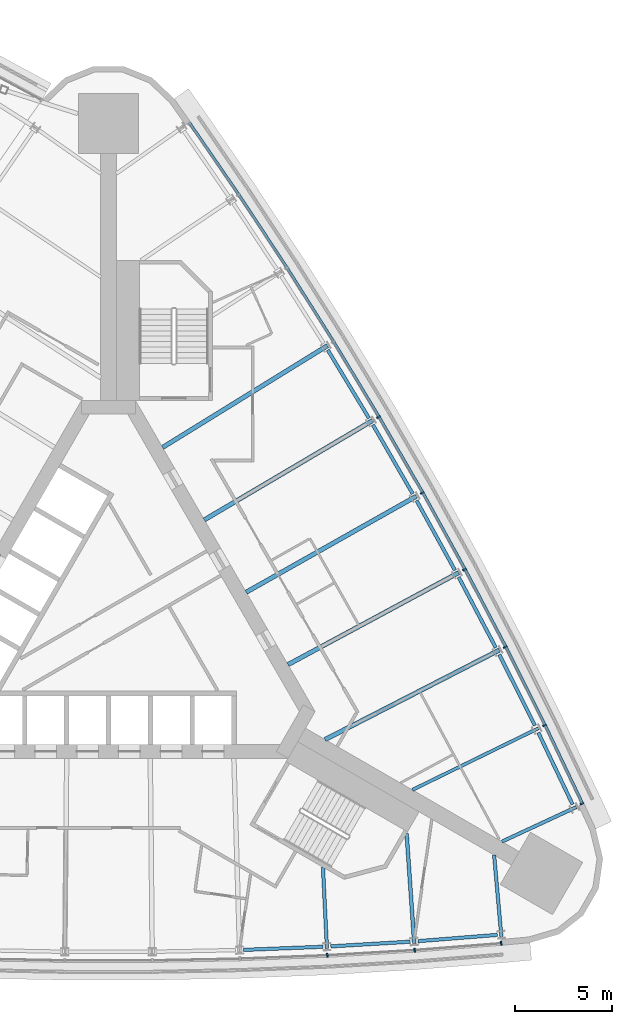
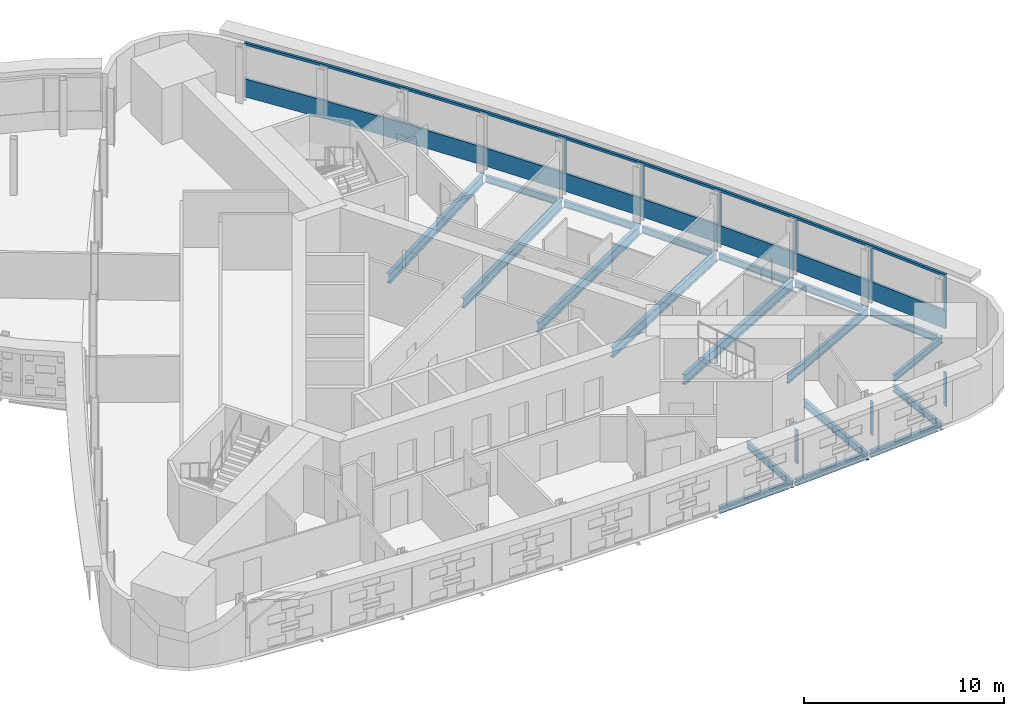
# One storey, part 7 of 17: 19 beams, 11 members, 2 elements without a shape of their own.
"""IFC4 building model written with IfcOpenShell, lengths in metres."""

from ifc_helpers import new_model, si_unit, direction, frame, origin, origin_2d, place, context, subcontext, project, spatial, polyline, rectangle, i_section, outline, extrude, material, material_profile, profile_set, type_object, element, aggregate, save


model = new_model("IFC4")

# Units and contexts
model_context = context("Model", 3, precision=1e-05, world=origin(), true_north=direction((0.0, 1.0)))
body_context = subcontext(model_context, "Body", "Model", "MODEL_VIEW")
ifc_project = project(units=[si_unit("LENGTHUNIT", "METRE"), si_unit("AREAUNIT", "SQUARE_METRE"), si_unit("VOLUMEUNIT", "CUBIC_METRE"), si_unit("PLANEANGLEUNIT", "RADIAN"), si_unit("MASSUNIT", "GRAM", prefix="KILO")], contexts=[model_context])

# Site, building, storey
site_placement = place(None, origin())
site = spatial("IfcSite", under=ifc_project, at=site_placement, CompositionType="ELEMENT")
building_placement = place(site_placement, origin())
building = spatial("IfcBuilding", under=site, at=building_placement, Name="Noor Cloister Tower", CompositionType="ELEMENT")
storey_placement = place(building_placement, frame((0.0, 0.0, 95.10009765625)))
storey = spatial("IfcBuildingStorey", under=building, at=storey_placement, Name="L24", CompositionType="ELEMENT", Elevation=95.10009765625)

# Curtain wall, member
ifc_material_1 = material(Name="Aluminium 6063-T6 anodised", Category="aluminium")
curtain_wall_type = type_object("IfcCurtainWallType", Name="Ribbon curtain wall, lower tower CW1", PredefinedType="NOTDEFINED", material=ifc_material_1)
curtain_wall_1_placement = place(storey_placement, origin())
curtain_wall_1 = element("IfcCurtainWall", 1, at=curtain_wall_1_placement, inside=storey, type_object=curtain_wall_type, Name="CW1 L24 NE run 4", PredefinedType="NOTDEFINED")
ifc_material_2 = material(Name="Aluminium 6063-T6 anodised", Category="aluminium")
member_type_1 = type_object("IfcMemberType", Name="Head transom CW1 150", PredefinedType="USERDEFINED", material=ifc_material_2)
member_1_placement = place(storey_placement, frame((0.0, 0.0, 3.14990234375)))
member_1 = element("IfcMember", 2, at=member_1_placement, type_object=member_type_1, Name="CW1 head transom", ObjectType="TRANSOM", PredefinedType="USERDEFINED", context=body_context, shape_type="SweptSolid", body=[
    extrude(outline(polyline([(24.42822265625, -9.24853515625), (22.49169921875, -5.1865234375), (20.475830078125, -1.16357421875), (18.380859375, 2.819091796875), (16.2080078125, 6.759765625), (13.9580078125, 10.65673828125), (11.6318359375, 14.5087890625), (9.230224609375, 18.314208984375), (6.754150390625, 22.07177734375), (4.204833984375, 25.77978515625), (4.08935546875, 25.700439453125), (6.63818359375, 21.993408203125), (9.112548828125, 18.23828125), (11.5126953125, 14.435302734375), (13.83740234375, 10.58544921875), (16.086181640625, 6.69091796875), (18.257568359375, 2.752685546875), (20.35107421875, -1.2275390625), (22.365966796875, -5.248046875), (24.302001953125, -9.30859375), (24.42822265625, -9.24853515625)])), origin(), (0.0, 0.0, 1.0), 0.14990234375),
])

# Curtain wall, members
curtain_wall_2_placement = place(storey_placement, origin())
curtain_wall_2 = element("IfcCurtainWall", 3, at=curtain_wall_2_placement, inside=storey, type_object=curtain_wall_type, Name="CW1 L24 S run 3", PredefinedType="NOTDEFINED")
ifc_material_3 = material(Name="Aluminium 6063-T6 anodised", Category="aluminium")
ifc_material_profile_1 = material_profile(ifc_material_3, rectangle(XDim=0.199951171875, YDim=0.080078125, at=origin_2d()), Name="200 x 80 mullion")
ifc_profile_set_1 = profile_set([ifc_material_profile_1], Name="Aluminium 6063-T6 anodised")
member_type_2 = type_object("IfcMemberType", Name="Mullion CW1 80 x 200", PredefinedType="MULLION", material=ifc_profile_set_1)
member_2_placement = place(storey_placement, frame((11.240478515625, -17.05078125, 1.099853515625), z_axis=(0.0, 0.0, 1.0), x_axis=(-0.049188322705, 0.998789521826, 0.0)))
member_2 = element("IfcMember", 4, at=member_2_placement, type_object=member_type_2, Name="CW1 mullion 8", PredefinedType="MULLION", context=body_context, shape_type="SweptSolid", body=[
    extrude(rectangle(XDim=0.199951171875, YDim=0.080078125, at=origin_2d()), origin(), (0.0, 0.0, 1.0), 2.050048828125),
])
member_3_placement = place(storey_placement, frame((15.730712890625, -16.785400390625, 1.099853515625), z_axis=(0.0, 0.0, 1.0), x_axis=(-0.068836981101, 0.997627921639, 0.0)))
member_3 = element("IfcMember", 5, at=member_3_placement, type_object=member_type_2, Name="CW1 mullion 9", PredefinedType="MULLION", context=body_context, shape_type="SweptSolid", body=[
    extrude(rectangle(XDim=0.199951171875, YDim=0.080078125, at=origin_2d()), origin(), (0.0, 0.0, 1.0), 2.050048828125),
])
member_4_placement = place(storey_placement, frame((20.17578125, -16.434814453125, 1.099853515625), z_axis=(0.0, 0.0, 1.0), x_axis=(-0.078651776212, 0.996902150714, 0.0)))
member_4 = element("IfcMember", 6, at=member_4_placement, type_object=member_type_2, Name="CW1 mullion 10", PredefinedType="MULLION", context=body_context, shape_type="SweptSolid", body=[
    extrude(rectangle(XDim=0.199951171875, YDim=0.080078125, at=origin_2d()), origin(), (0.0, 0.0, 1.0), 2.050048828125),
])
aggregate(curtain_wall_2, [member_2, member_3, member_4])

# Member
member_5_placement = place(storey_placement, frame((24.32080078125, -9.25537109375, 1.099853515625), z_axis=(0.0, 0.0, 1.0), x_axis=(-0.902668475712, -0.430336639105, 0.0)))
member_5 = element("IfcMember", 7, at=member_5_placement, type_object=member_type_2, Name="CW1 mullion 1", PredefinedType="MULLION", context=body_context, shape_type="SweptSolid", body=[
    extrude(rectangle(XDim=0.199951171875, YDim=0.080078125, at=origin_2d()), origin(), (0.0, 0.0, 1.0), 2.050048828125),
])

member_6_placement = place(storey_placement, frame((22.40185546875, -5.23046875, 1.099853515625), z_axis=(0.0, 0.0, 1.0), x_axis=(-0.898389614214, -0.439199386466, 0.0)))
member_6 = element("IfcMember", 8, at=member_6_placement, type_object=member_type_2, Name="CW1 mullion 2", PredefinedType="MULLION", context=body_context, shape_type="SweptSolid", body=[
    extrude(rectangle(XDim=0.199951171875, YDim=0.080078125, at=origin_2d()), origin(), (0.0, 0.0, 1.0), 2.050048828125),
])

member_7_placement = place(storey_placement, frame((20.38671875, -1.209228515625, 1.099853515625), z_axis=(0.0, 0.0, 1.0), x_axis=(-0.889571260287, -0.456796423881, 0.0)))
member_7 = element("IfcMember", 9, at=member_7_placement, type_object=member_type_2, Name="CW1 mullion 3", PredefinedType="MULLION", context=body_context, shape_type="SweptSolid", body=[
    extrude(rectangle(XDim=0.199951171875, YDim=0.080078125, at=origin_2d()), origin(), (0.0, 0.0, 1.0), 2.050048828125),
])

member_8_placement = place(storey_placement, frame((18.292724609375, 2.771728515625, 1.099853515625), z_axis=(0.0, 0.0, 1.0), x_axis=(-0.880408277748, -0.474216474275, 0.0)))
member_8 = element("IfcMember", 10, at=member_8_placement, type_object=member_type_2, Name="CW1 mullion 4", PredefinedType="MULLION", context=body_context, shape_type="SweptSolid", body=[
    extrude(rectangle(XDim=0.199951171875, YDim=0.080078125, at=origin_2d()), origin(), (0.0, 0.0, 1.0), 2.050048828125),
])

member_9_placement = place(storey_placement, frame((16.120849609375, 6.71044921875, 1.099853515625), z_axis=(0.0, 0.0, 1.0), x_axis=(-0.87090420026, -0.491452819678, 0.0)))
member_9 = element("IfcMember", 11, at=member_9_placement, type_object=member_type_2, Name="CW1 mullion 5", PredefinedType="MULLION", context=body_context, shape_type="SweptSolid", body=[
    extrude(rectangle(XDim=0.199951171875, YDim=0.080078125, at=origin_2d()), origin(), (0.0, 0.0, 1.0), 2.050048828125),
])

member_10_placement = place(storey_placement, frame((13.8720703125, 10.60595703125, 1.099853515625), z_axis=(0.0, 0.0, 1.0), x_axis=(-0.861062726733, -0.508498751848, 0.0)))
member_10 = element("IfcMember", 12, at=member_10_placement, type_object=member_type_2, Name="CW1 mullion 6", PredefinedType="MULLION", context=body_context, shape_type="SweptSolid", body=[
    extrude(rectangle(XDim=0.199951171875, YDim=0.080078125, at=origin_2d()), origin(), (0.0, 0.0, 1.0), 2.050048828125),
])

# Beams
ifc_material_4 = material(Name="Steel ASTM A992 Gr 50", Category="steel")
ifc_material_profile_2 = material_profile(ifc_material_4, i_section(OverallWidth=0.177978515625, OverallDepth=0.406005859375, WebThickness=0.0078125, FlangeThickness=0.0126953125, FilletRadius=0.01025390625, at=origin_2d()), Name="W410x60")
ifc_profile_set_2 = profile_set([ifc_material_profile_2], Name="Steel ASTM A992 Gr 50")
beam_type_1 = type_object("IfcBeamType", Name="Radial beam W410x60", PredefinedType="BEAM", material=ifc_profile_set_2)
beam_1_placement = place(storey_placement, frame((11.223388671875, -16.701904296875, -0.403076171875), z_axis=(-0.049178201451, 0.998790020225, 0.0), x_axis=(-0.998790020225, -0.049178201451, 0.0)))
element("IfcBeam", 13, at=beam_1_placement, inside=storey, type_object=beam_type_1, Name="Radial beam S 08 L24", PredefinedType="BEAM", context=body_context, shape_type="SweptSolid", body=[
    extrude(i_section(OverallWidth=0.177978515625, OverallDepth=0.406005859375, WebThickness=0.0078125, FlangeThickness=0.0126953125, FilletRadius=0.01025390625, at=origin_2d()), origin(), (0.0, 0.0, 1.0), 4.18505859375),
])
beam_2_placement = place(storey_placement, frame((20.183837890625, -16.08349609375, -0.403076171875), z_axis=(-0.088480829531, 0.99607787989, 0.0), x_axis=(-0.99607787989, -0.088480829531, 0.0)))
element("IfcBeam", 14, at=beam_2_placement, inside=storey, type_object=beam_type_1, Name="Radial beam S 10 L24", PredefinedType="BEAM", context=body_context, shape_type="SweptSolid", body=[
    extrude(i_section(OverallWidth=0.177978515625, OverallDepth=0.406005859375, WebThickness=0.0078125, FlangeThickness=0.0126953125, FilletRadius=0.01025390625, at=origin_2d()), origin(), (0.0, 0.0, 1.0), 4.199462890625),
])
beam_3_placement = place(storey_placement, frame((24.0205078125, -9.43798828125, -0.403076171875), z_axis=(-0.906851874526, -0.421449495989, 0.0), x_axis=(0.421449495989, -0.906851874526, 0.0)))
element("IfcBeam", 15, at=beam_3_placement, inside=storey, type_object=beam_type_1, Name="Radial beam NE 01 L24", PredefinedType="BEAM", context=body_context, shape_type="SweptSolid", body=[
    extrude(i_section(OverallWidth=0.177978515625, OverallDepth=0.406005859375, WebThickness=0.0078125, FlangeThickness=0.0126953125, FilletRadius=0.01025390625, at=origin_2d()), origin(), (0.0, 0.0, 1.0), 4.19921875),
])
ifc_material_5 = material(Name="Steel ASTM A992 Gr 50", Category="steel")
ifc_material_profile_3 = material_profile(ifc_material_5, i_section(OverallWidth=0.19091796875, OverallDepth=0.45703125, WebThickness=0.009033203125, FlangeThickness=0.014404296875, FilletRadius=0.01025390625, at=origin_2d()), Name="W460x74")
ifc_profile_set_3 = profile_set([ifc_material_profile_3], Name="Steel ASTM A992 Gr 50")
beam_type_2 = type_object("IfcBeamType", Name="Radial beam W460x74", PredefinedType="BEAM", material=ifc_profile_set_3)
beam_4_placement = place(storey_placement, frame((15.70654296875, -16.436767578125, -0.4287109375), z_axis=(-0.068806527571, 0.997630022485, 0.0), x_axis=(-0.997630022485, -0.068806527571, 0.0)))
element("IfcBeam", 16, at=beam_4_placement, inside=storey, type_object=beam_type_2, Name="Radial beam S 09 L24", PredefinedType="BEAM", context=body_context, shape_type="SweptSolid", body=[
    extrude(i_section(OverallWidth=0.19091796875, OverallDepth=0.45703125, WebThickness=0.009033203125, FlangeThickness=0.014404296875, FilletRadius=0.01025390625, at=origin_2d()), origin(), (0.0, 0.0, 1.0), 5.66650390625),
])
ifc_material_6 = material(Name="Steel ASTM A992 Gr 50", Category="steel")
ifc_material_profile_4 = material_profile(ifc_material_6, i_section(OverallWidth=0.166015625, OverallDepth=0.528076171875, WebThickness=0.009765625, FlangeThickness=0.013671875, FilletRadius=0.0126953125, at=origin_2d()), Name="W530x74")
ifc_profile_set_4 = profile_set([ifc_material_profile_4], Name="Steel ASTM A992 Gr 50")
beam_type_3 = type_object("IfcBeamType", Name="Radial beam W530x74", PredefinedType="BEAM", material=ifc_profile_set_4)
beam_5_placement = place(storey_placement, frame((22.087890625, -5.384033203125, -0.464111328125), z_axis=(-0.898387033035, -0.439204666271, 0.0), x_axis=(0.439204666271, -0.898387033035, 0.0)))
element("IfcBeam", 17, at=beam_5_placement, inside=storey, type_object=beam_type_3, Name="Radial beam NE 02 L24", PredefinedType="BEAM", context=body_context, shape_type="SweptSolid", body=[
    extrude(i_section(OverallWidth=0.166015625, OverallDepth=0.528076171875, WebThickness=0.009765625, FlangeThickness=0.013671875, FilletRadius=0.0126953125, at=origin_2d()), origin(), (0.0, 0.0, 1.0), 7.210205078125),
])
ifc_material_7 = material(Name="Steel ASTM A992 Gr 50", Category="steel")
ifc_material_profile_5 = material_profile(ifc_material_7, i_section(OverallWidth=0.22802734375, OverallDepth=0.60205078125, WebThickness=0.010498046875, FlangeThickness=0.014892578125, FilletRadius=0.0126953125, at=origin_2d()), Name="W610x101")
ifc_profile_set_5 = profile_set([ifc_material_profile_5], Name="Steel ASTM A992 Gr 50")
beam_type_4 = type_object("IfcBeamType", Name="Radial beam W610x101", PredefinedType="BEAM", material=ifc_profile_set_5)
beam_6_placement = place(storey_placement, frame((20.075927734375, -1.368896484375, -0.5009765625), z_axis=(-0.889579280907, -0.456780804085, 0.0), x_axis=(0.456780804085, -0.889579280907, 0.0)))
element("IfcBeam", 18, at=beam_6_placement, inside=storey, type_object=beam_type_4, Name="Radial beam NE 03 L24", PredefinedType="BEAM", context=body_context, shape_type="SweptSolid", body=[
    extrude(i_section(OverallWidth=0.22802734375, OverallDepth=0.60205078125, WebThickness=0.010498046875, FlangeThickness=0.014892578125, FilletRadius=0.0126953125, at=origin_2d()), origin(), (0.0, 0.0, 1.0), 10.057861328125),
])
beam_7_placement = place(storey_placement, frame((17.985107421875, 2.60595703125, -0.5009765625), z_axis=(-0.880406516163, -0.474219744736, 0.0), x_axis=(0.474219744736, -0.880406516163, 0.0)))
element("IfcBeam", 19, at=beam_7_placement, inside=storey, type_object=beam_type_4, Name="Radial beam NE 04 L24", PredefinedType="BEAM", context=body_context, shape_type="SweptSolid", body=[
    extrude(i_section(OverallWidth=0.22802734375, OverallDepth=0.60205078125, WebThickness=0.010498046875, FlangeThickness=0.014892578125, FilletRadius=0.0126953125, at=origin_2d()), origin(), (0.0, 0.0, 1.0), 9.95458984375),
])
for number, where, z_axis, x_axis, name in (
    (20, (15.816650390625, 6.538818359375, -0.5009765625), (-0.870901874431, -0.491456941259, 0.0), (0.491456941259, -0.870901874431, 0.0), "Radial beam NE 05 L24"),
    (21, (13.571044921875, 10.42822265625, -0.5009765625), (-0.86106399039, -0.508496612038, 0.0), (0.508496612038, -0.86106399039, 0.0), "Radial beam NE 06 L24"),
):
    element("IfcBeam", number, at=place(storey_placement, frame(where, z_axis=z_axis, x_axis=x_axis)), inside=storey, type_object=beam_type_4, Name=name, PredefinedType="BEAM", context=body_context, shape_type="SweptSolid", body=[
        extrude(i_section(OverallWidth=0.22802734375, OverallDepth=0.60205078125, WebThickness=0.010498046875, FlangeThickness=0.014892578125, FilletRadius=0.0126953125, at=origin_2d()), origin(), (0.0, 0.0, 1.0), 10.039306640625),
    ])
beam_8_placement = place(storey_placement, frame((11.249267578125, 14.272705078125, -0.5009765625), z_axis=(-0.850881836439, -0.525357117034, 0.0), x_axis=(0.525357117034, -0.850881836439, 0.0)))
element("IfcBeam", 22, at=beam_8_placement, inside=storey, type_object=beam_type_4, Name="Radial beam NE 07 L24", PredefinedType="BEAM", context=body_context, shape_type="SweptSolid", body=[
    extrude(i_section(OverallWidth=0.22802734375, OverallDepth=0.60205078125, WebThickness=0.010498046875, FlangeThickness=0.014892578125, FilletRadius=0.0126953125, at=origin_2d()), origin(), (0.0, 0.0, 1.0), 9.95458984375),
])

# Member
ifc_material_8 = material(Name="Aluminium 6063-T6 anodised", Category="aluminium")
member_type_3 = type_object("IfcMemberType", Name="Sill transom CW1 1100", PredefinedType="USERDEFINED", material=ifc_material_8)
member_11_placement = place(storey_placement, origin())
member_11 = element("IfcMember", 23, at=member_11_placement, type_object=member_type_3, Name="CW1 sill transom", ObjectType="TRANSOM", PredefinedType="USERDEFINED", context=body_context, shape_type="SweptSolid", body=[
    extrude(outline(polyline([(24.42822265625, -9.24853515625), (22.49169921875, -5.1865234375), (20.475830078125, -1.16357421875), (18.380859375, 2.819091796875), (16.2080078125, 6.759765625), (13.9580078125, 10.65673828125), (11.6318359375, 14.5087890625), (9.230224609375, 18.314208984375), (6.754150390625, 22.07177734375), (4.204833984375, 25.77978515625), (4.08935546875, 25.700439453125), (6.63818359375, 21.993408203125), (9.112548828125, 18.23828125), (11.5126953125, 14.435302734375), (13.83740234375, 10.58544921875), (16.086181640625, 6.69091796875), (18.257568359375, 2.752685546875), (20.35107421875, -1.2275390625), (22.365966796875, -5.248046875), (24.302001953125, -9.30859375), (24.42822265625, -9.24853515625)])), origin(), (0.0, 0.0, 1.0), 1.099853515625),
])

aggregate(curtain_wall_1, [member_5, member_6, member_7, member_8, member_9, member_10, member_11, member_1])

# Beams
ifc_material_9 = material(Name="Steel ASTM A992 Gr 50", Category="steel")
ifc_material_profile_6 = material_profile(ifc_material_9, i_section(OverallWidth=0.177978515625, OverallDepth=0.406005859375, WebThickness=0.0078125, FlangeThickness=0.0126953125, FilletRadius=0.01025390625, at=origin_2d()), Name="W410x60")
ifc_profile_set_6 = profile_set([ifc_material_profile_6], Name="Steel ASTM A992 Gr 50")
beam_type_5 = type_object("IfcBeamType", Name="Spandrel beam W410x60", PredefinedType="SPANDREL", material=ifc_profile_set_6)
for number, where, z_axis, x_axis, name in (
    (24, (6.93310546875, -16.770263671875, -0.403076171875), (0.999225288123, 0.039355095916, 0.0), (-0.039355095916, 0.999225288123, 0.0), "Spandrel beam S 07 L24"),
    (25, (11.41845703125, -16.589599609375, -0.403076171875), (0.998257859765, 0.059002079771, 0.0), (-0.059002079771, 0.998257859765, 0.0), "Spandrel beam S 08 L24"),
    (26, (15.899658203125, -16.32080078125, -0.403076171875), (0.996902216322, 0.078650944641, 0.0), (-0.078650944641, 0.996902216322, 0.0), "Spandrel beam S 09 L24"),
    (27, (23.84326171875, -9.29931640625, -0.403076171875), (-0.430341530423, 0.902666143817, 0.0), (-0.902666143817, -0.430341530423, 0.0), "Spandrel beam NE 01 L24"),
    (28, (21.90771484375, -5.248779296875, -0.403076171875), (-0.448025614309, 0.894020720634, 0.0), (-0.894020720634, -0.448025614309, 0.0), "Spandrel beam NE 02 L24"),
    (29, (19.89306640625, -1.2373046875, -0.403076171875), (-0.465512591223, 0.885041257464, 0.0), (-0.885041257464, -0.465512591223, 0.0), "Spandrel beam NE 03 L24"),
):
    element("IfcBeam", number, at=place(storey_placement, frame(where, z_axis=z_axis, x_axis=x_axis)), inside=storey, type_object=beam_type_5, Name=name, PredefinedType="SPANDREL", context=body_context, shape_type="SweptSolid", body=[
        extrude(i_section(OverallWidth=0.177978515625, OverallDepth=0.406005859375, WebThickness=0.0078125, FlangeThickness=0.0126953125, FilletRadius=0.01025390625, at=origin_2d()), origin(), (0.0, 0.0, 1.0), 4.088134765625),
    ])
beam_9_placement = place(storey_placement, frame((17.7998046875, 2.73388671875, -0.403076171875), z_axis=(-0.482851559561, 0.875702216184, 0.0), x_axis=(-0.875702216184, -0.482851559561, 0.0)))
element("IfcBeam", 30, at=beam_9_placement, inside=storey, type_object=beam_type_5, Name="Spandrel beam NE 04 L24", PredefinedType="SPANDREL", context=body_context, shape_type="SweptSolid", body=[
    extrude(i_section(OverallWidth=0.177978515625, OverallDepth=0.406005859375, WebThickness=0.0078125, FlangeThickness=0.0126953125, FilletRadius=0.01025390625, at=origin_2d()), origin(), (0.0, 0.0, 1.0), 4.087890625),
])
for number, where, z_axis, x_axis, name in (
    (31, (15.62890625, 6.6630859375, -0.403076171875), (-0.500037791097, 0.866003583985, 0.0), (-0.866003583985, -0.500037791097, 0.0), "Spandrel beam NE 05 L24"),
    (32, (13.380859375, 10.548583984375, -0.403076171875), (-0.516935158604, 0.856024556773, 0.0), (-0.856024556773, -0.516935158604, 0.0), "Spandrel beam NE 06 L24"),
):
    element("IfcBeam", number, at=place(storey_placement, frame(where, z_axis=z_axis, x_axis=x_axis)), inside=storey, type_object=beam_type_5, Name=name, PredefinedType="SPANDREL", context=body_context, shape_type="SweptSolid", body=[
        extrude(i_section(OverallWidth=0.177978515625, OverallDepth=0.406005859375, WebThickness=0.0078125, FlangeThickness=0.0126953125, FilletRadius=0.01025390625, at=origin_2d()), origin(), (0.0, 0.0, 1.0), 4.088134765625),
    ])

save(model, "model.ifc")
